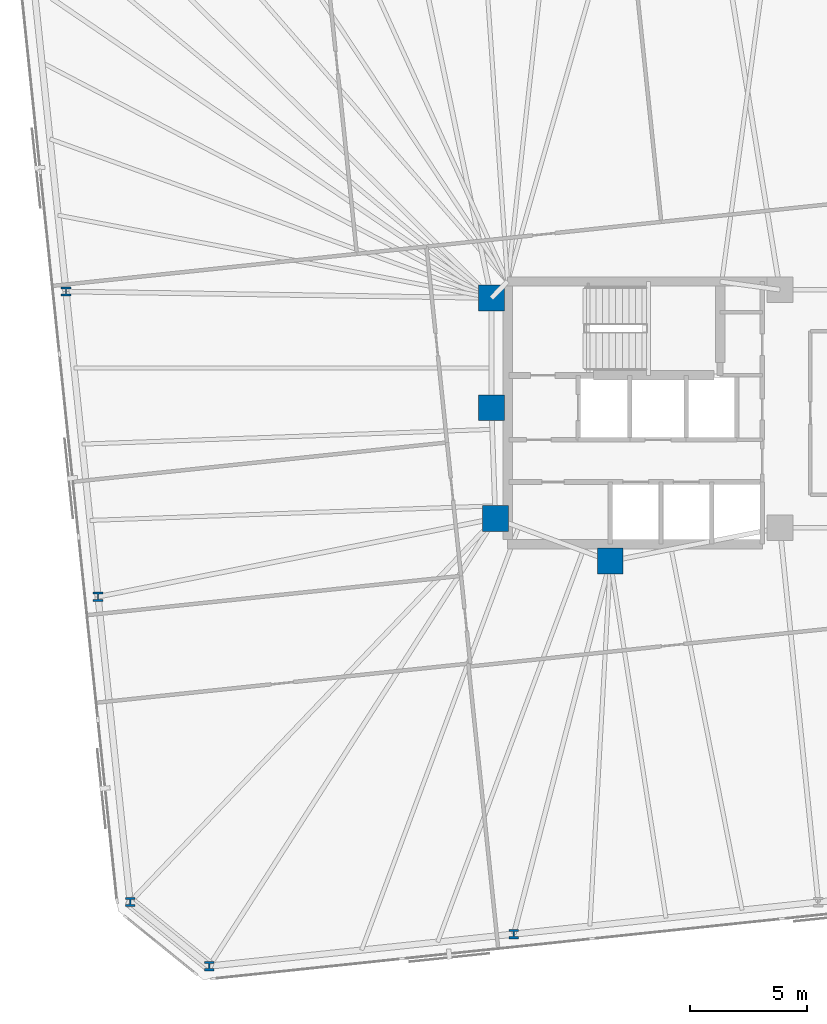
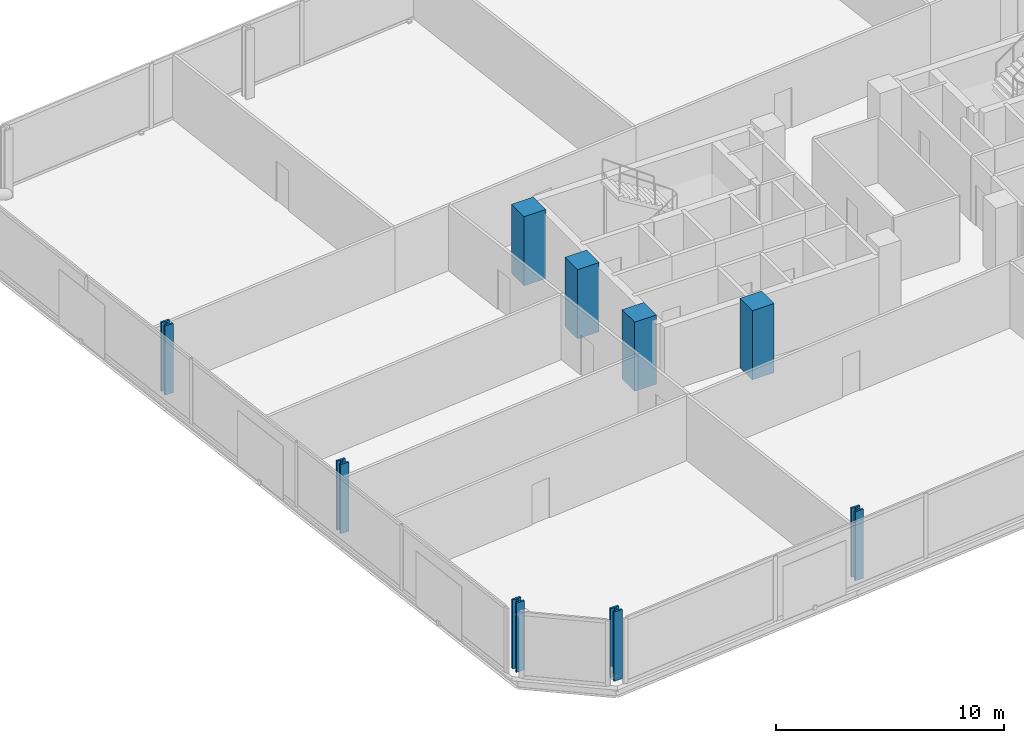
# One storey, part 1 of 18: 9 columns.
"""IFC4 building model written with IfcOpenShell, lengths in metres."""

from ifc_helpers import new_model, si_unit, direction, frame, origin, origin_2d, place, context, subcontext, project, spatial, rectangle, i_section, extrude, material, material_profile, profile_set, type_object, element, save


model = new_model("IFC4")

# Units and contexts
model_context = context("Model", 3, precision=1e-05, world=origin(), true_north=direction((0.0, 1.0)))
body_context = subcontext(model_context, "Body", "Model", "MODEL_VIEW")
ifc_project = project(units=[si_unit("LENGTHUNIT", "METRE"), si_unit("AREAUNIT", "SQUARE_METRE"), si_unit("VOLUMEUNIT", "CUBIC_METRE"), si_unit("PLANEANGLEUNIT", "RADIAN"), si_unit("MASSUNIT", "GRAM", prefix="KILO")], contexts=[model_context])

# Site, building, storey
site_placement = place(None, origin())
site = spatial("IfcSite", under=ifc_project, at=site_placement, CompositionType="ELEMENT")
building_placement = place(site_placement, origin())
building = spatial("IfcBuilding", under=site, at=building_placement, Name="Menara Jurai Vektor", CompositionType="ELEMENT")
storey_placement = place(building_placement, frame((0.0, 0.0, 94.800048828125)))
storey = spatial("IfcBuildingStorey", under=building, at=storey_placement, Name="L23", CompositionType="ELEMENT", Elevation=94.800048828125)

# Columns
ifc_material_1 = material(Name="Concrete C50/60", Category="concrete")
ifc_material_profile_1 = material_profile(ifc_material_1, rectangle(XDim=1.10009765625, YDim=1.10009765625, at=origin_2d()), Name="RC 1100x1100")
ifc_profile_set_1 = profile_set([ifc_material_profile_1], Name="Concrete C50/60")
column_type_1 = type_object("IfcColumnType", Name="STR-COL-RC1100", PredefinedType="COLUMN", material=ifc_profile_set_1)
for number, where, z_axis, x_axis, name in (
    (1, (-15.25, 4.89990234375, 0.0), (0.0, 0.0, 1.0), (1.0, 0.0, 0.0), "Core Spine Column CW-NW L23"),
    (2, (-15.25, 0.219970703125, 0.0), (0.0, 0.0, 1.0), (1.0, 0.0, 0.0), "Core Spine Column CW-WM L23"),
    (3, (-15.080078125, -4.5, 0.0), (0.0, 0.0, 1.0), (1.0, 0.0, 0.0), "Core Spine Column CW-SW L23"),
    (4, (-10.179931640625, -6.320068359375, 0.0), (0.0, 0.0, 1.0), (1.0, 0.0, 0.0), "Core Spine Column CW-SM L23"),
):
    element("IfcColumn", number, at=place(storey_placement, frame(where, z_axis=z_axis, x_axis=x_axis)), inside=storey, type_object=column_type_1, Name=name, PredefinedType="COLUMN", context=body_context, shape_type="SweptSolid", body=[
        extrude(rectangle(XDim=1.10009765625, YDim=1.10009765625, at=origin_2d()), origin(), (0.0, 0.0, 1.0), 3.699951171875),
    ])
ifc_material_2 = material(Name="Steel S460", Category="steel")
ifc_material_profile_2 = material_profile(ifc_material_2, i_section(OverallWidth=0.4130859375, OverallDepth=0.39794921875, WebThickness=0.055908203125, FlangeThickness=0.089111328125, FilletRadius=0.014892578125, at=origin_2d()), Name="HD 400x744")
ifc_profile_set_2 = profile_set([ifc_material_profile_2], Name="Steel S460")
column_type_2 = type_object("IfcColumnType", Name="STR-EXO-BLK2", PredefinedType="COLUMN", material=ifc_profile_set_2)
for number, where, z_axis, x_axis, name in (
    (5, (-27.2763671875, -23.586181640625, 0.0), (0.0, 0.0, 1.0), (1.0, 0.0, 0.0), "Exoskeleton Column BLK2-S1 L23"),
    (6, (-14.296630859375, -22.221923828125, 0.0), (0.0, 0.0, 1.0), (1.0, 0.0, 0.0), "Exoskeleton Column BLK2-S2 L23"),
    (7, (-33.388427734375, 5.175048828125, 0.0), (0.0, 0.0, 1.0), (1.0, 0.0, 0.0), "Exoskeleton Column BLK2-W2 L23"),
    (8, (-32.0205078125, -7.83837890625, 0.0), (0.0, 0.0, 1.0), (1.0, 0.0, 0.0), "Exoskeleton Column BLK2-W3 L23"),
    (9, (-30.65283203125, -20.85205078125, 0.0), (0.0, 0.0, 1.0), (1.0, 0.0, 0.0), "Exoskeleton Column BLK2-W4 L23"),
):
    element("IfcColumn", number, at=place(storey_placement, frame(where, z_axis=z_axis, x_axis=x_axis)), inside=storey, type_object=column_type_2, Name=name, PredefinedType="COLUMN", context=body_context, shape_type="SweptSolid", body=[
        extrude(i_section(OverallWidth=0.4130859375, OverallDepth=0.39794921875, WebThickness=0.055908203125, FlangeThickness=0.089111328125, FilletRadius=0.014892578125, at=origin_2d()), origin(), (0.0, 0.0, 1.0), 3.699951171875),
    ])

save(model, "model.ifc")
